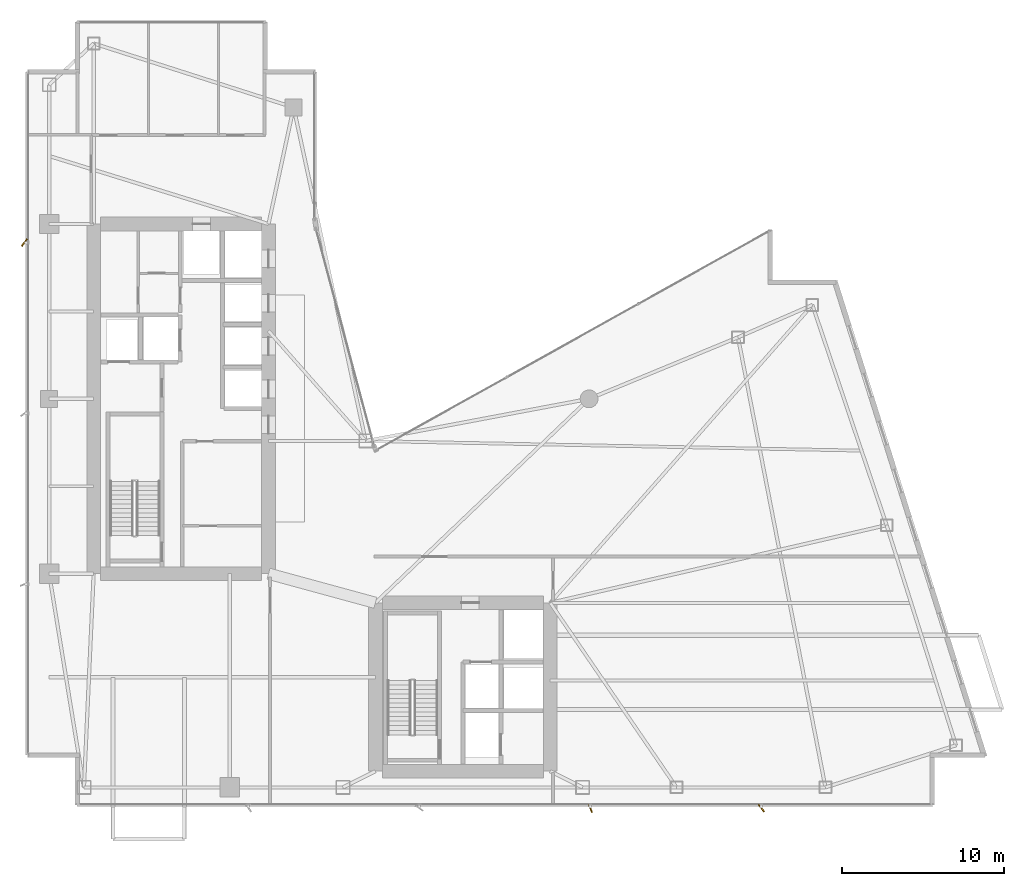
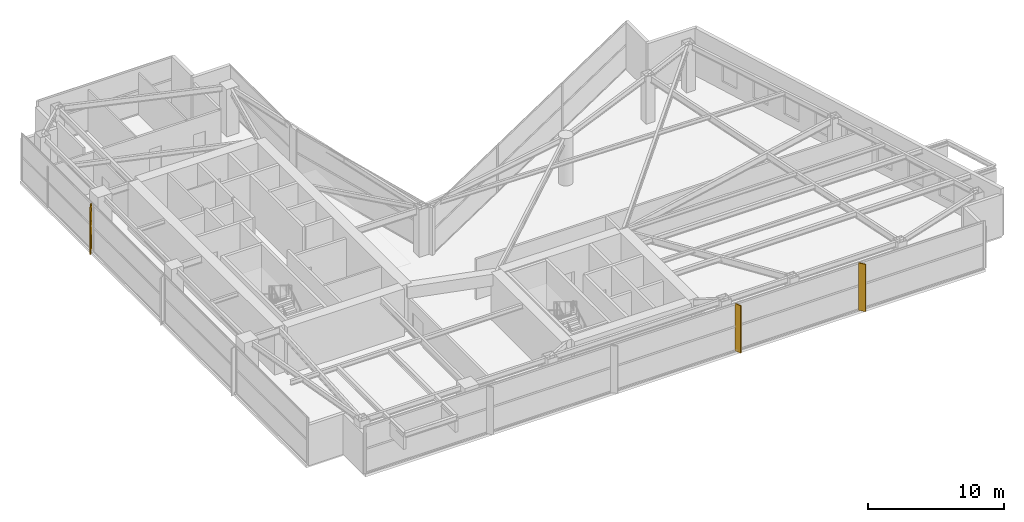
# One storey, part 26 of 26: 3 shading devices.
"""IFC4 building model written with IfcOpenShell, lengths in metres."""

from ifc_helpers import new_model, si_unit, direction, frame, origin, origin_2d, place, context, subcontext, project, spatial, rectangle, extrude, material, type_object, element, save


model = new_model("IFC4")

# Units and contexts
model_context = context("Model", 3, precision=1e-05, world=origin(), true_north=direction((0.0, 1.0)))
body_context = subcontext(model_context, "Body", "Model", "MODEL_VIEW")
ifc_project = project(units=[si_unit("LENGTHUNIT", "METRE"), si_unit("AREAUNIT", "SQUARE_METRE"), si_unit("VOLUMEUNIT", "CUBIC_METRE"), si_unit("PLANEANGLEUNIT", "RADIAN"), si_unit("MASSUNIT", "GRAM", prefix="KILO")], contexts=[model_context])

# Site, building, storey
site_placement = place(None, origin())
site = spatial("IfcSite", under=ifc_project, at=site_placement, CompositionType="ELEMENT")
building_placement = place(site_placement, origin())
building = spatial("IfcBuilding", under=site, at=building_placement, Name="Calvorn Quay Hotel", CompositionType="ELEMENT")
storey_placement = place(building_placement, frame((0.0, 0.0, 144.0)))
storey = spatial("IfcBuildingStorey", under=building, at=storey_placement, Name="L35", CompositionType="ELEMENT", Elevation=144.0)

# Shading devices
ifc_material_1 = material(Name="Champagne Bronze Anodised Aluminium 6063-T6", Category="aluminium")
shading_device_type_1 = type_object("IfcShadingDeviceType", Name="SHD-FIN-A1", PredefinedType="USERDEFINED", material=ifc_material_1)
shading_device_1_placement = place(storey_placement, frame((34.8798828125, 2.320068359375, 0.0), z_axis=(0.0, 0.0, 1.0), x_axis=(-0.374606593416, 0.927183854567, 0.0)))
element("IfcShadingDevice", 1, at=shading_device_1_placement, inside=storey, type_object=shading_device_type_1, Name="Diagonal Sun-Shading Fin L35-S03", ObjectType="FIN", PredefinedType="USERDEFINED", context=body_context, shape_type="SweptSolid", body=[
    extrude(rectangle(XDim=0.550048828125, YDim=0.080078125, at=origin_2d()), origin(), (0.0, 0.0, 1.0), 4.260009765625),
])
ifc_material_2 = material(Name="Champagne Bronze Anodised Aluminium 6063-T6", Category="aluminium")
shading_device_type_2 = type_object("IfcShadingDeviceType", Name="SHD-FIN-A2", PredefinedType="USERDEFINED", material=ifc_material_2)
shading_device_2_placement = place(storey_placement, frame((45.43994140625, 2.320068359375, 0.0), z_axis=(0.0, 0.0, 1.0), x_axis=(-0.615661475326, 0.788010753607, 0.0)))
element("IfcShadingDevice", 2, at=shading_device_2_placement, inside=storey, type_object=shading_device_type_2, Name="Diagonal Sun-Shading Fin L35-S04", ObjectType="FIN", PredefinedType="USERDEFINED", context=body_context, shape_type="SweptSolid", body=[
    extrude(rectangle(XDim=0.550048828125, YDim=0.080078125, at=origin_2d()), origin(), (0.0, 0.0, 1.0), 4.260009765625),
])
ifc_material_3 = material(Name="Champagne Bronze Anodised Aluminium 6063-T6", Category="aluminium")
shading_device_type_3 = type_object("IfcShadingDeviceType", Name="SHD-FIN-A3", PredefinedType="USERDEFINED", material=ifc_material_3)
shading_device_3_placement = place(storey_placement, frame((-0.080078125, 37.25, 0.0), z_axis=(0.0, 0.0, 1.0), x_axis=(0.587785252292, 0.809016994375, 0.0)))
element("IfcShadingDevice", 3, at=shading_device_3_placement, inside=storey, type_object=shading_device_type_3, Name="Diagonal Sun-Shading Fin L35-W03", ObjectType="FIN", PredefinedType="USERDEFINED", context=body_context, shape_type="SweptSolid", body=[
    extrude(rectangle(XDim=0.550048828125, YDim=0.080078125, at=origin_2d()), origin(), (0.0, 0.0, 1.0), 4.260009765625),
])

save(model, "model.ifc")
